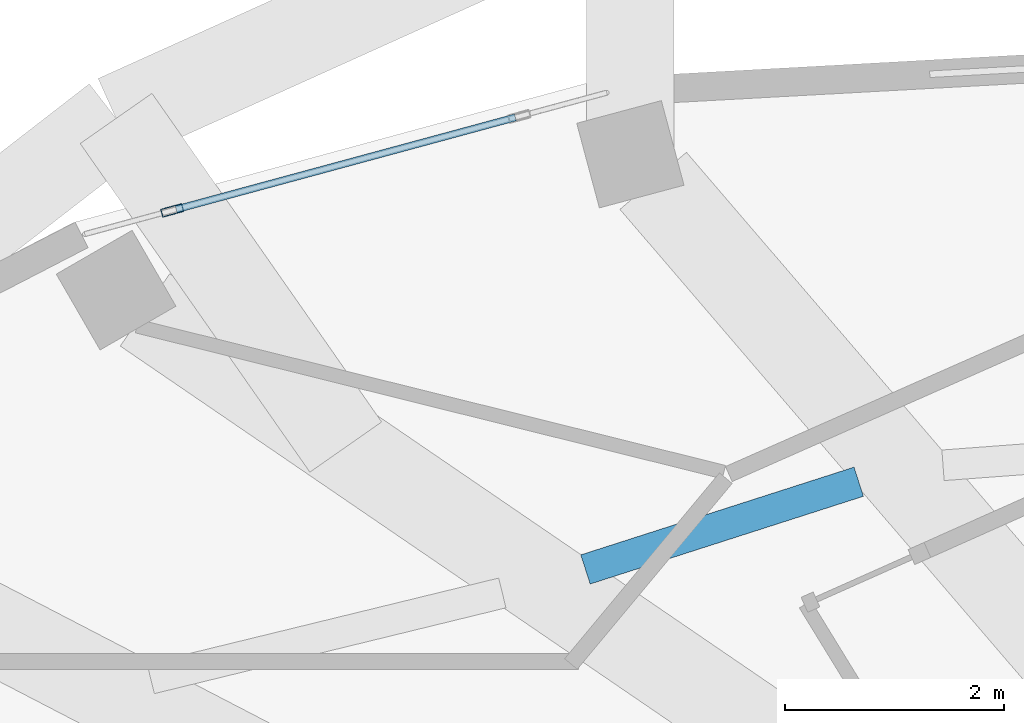
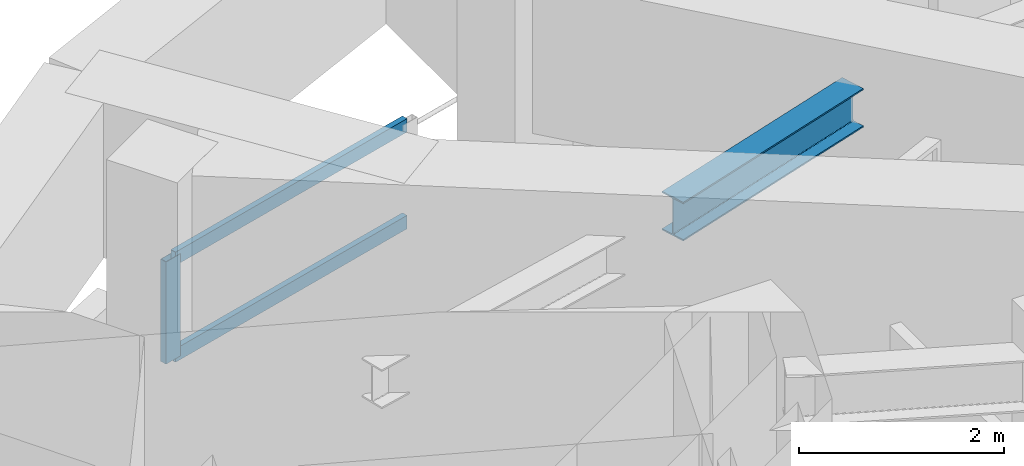
# One storey, part 6 of 20: 3 members, 1 beam, 1 element without a shape of its own.
"""IFC4 building model written with IfcOpenShell, lengths in metres."""

from ifc_helpers import new_model, si_unit, direction, frame, origin, origin_2d, place, context, subcontext, project, spatial, hollow_rectangle, i_section, extrude, material, layer, layer_set, material_profile, profile_set, type_object, element, aggregate, save


model = new_model("IFC4")

# Units and contexts
model_context = context("Model", 3, precision=1e-05, world=origin(), true_north=direction((0.0, 1.0)))
body_context = subcontext(model_context, "Body", "Model", "MODEL_VIEW")
ifc_project = project(units=[si_unit("LENGTHUNIT", "METRE"), si_unit("AREAUNIT", "SQUARE_METRE"), si_unit("VOLUMEUNIT", "CUBIC_METRE"), si_unit("PLANEANGLEUNIT", "RADIAN"), si_unit("MASSUNIT", "GRAM", prefix="KILO")], contexts=[model_context])

# Site, building, storey
site_placement = place(None, origin())
site = spatial("IfcSite", under=ifc_project, at=site_placement, CompositionType="ELEMENT")
building_placement = place(site_placement, origin())
building = spatial("IfcBuilding", under=site, at=building_placement, Name="Solvane Sanctuary Tower", CompositionType="ELEMENT")
storey_placement = place(building_placement, frame((0.0, 0.0, 217.10009765625)))
storey = spatial("IfcBuildingStorey", under=building, at=storey_placement, Name="L66", CompositionType="ELEMENT", Elevation=217.10009765625)

# Beam
ifc_material_1 = material(Name="Steel ASTM A992 Grade 50", Category="steel")
ifc_material_profile_1 = material_profile(ifc_material_1, i_section(OverallWidth=0.280029296875, OverallDepth=0.462890625, WebThickness=0.0107421875, FlangeThickness=0.017333984375, FilletRadius=0.013916015625, at=origin_2d()), Name="W18X76")
ifc_profile_set_1 = profile_set([ifc_material_profile_1], Name="Steel ASTM A992 Grade 50")
beam_type = type_object("IfcBeamType", Name="Beam B-SEC-JOIST W18X76", PredefinedType="JOIST", material=ifc_profile_set_1)
beam_placement = place(storey_placement, frame((24.733642578125, 33.12060546875, 2.366455078125), z_axis=(0.952143766749, 0.305650531557, 0.0), x_axis=(-0.305650531557, 0.952143766749, 0.0)))
element("IfcBeam", 1, at=beam_placement, inside=storey, type_object=beam_type, Name="L66 Secondary Circumferential Joist 06-05", PredefinedType="JOIST", context=body_context, shape_type="SweptSolid", body=[
    extrude(i_section(OverallWidth=0.280029296875, OverallDepth=0.462890625, WebThickness=0.0107421875, FlangeThickness=0.017333984375, FilletRadius=0.013916015625, at=origin_2d()), origin(), (0.0, 0.0, 1.0), 2.622314453125),
])

# Curtain wall, members
ifc_material_2 = material(Name="Anodised Aluminium 6063-T6", Category="aluminium")
ifc_layer = layer(ifc_material_2, 0.18994140625, Name="Anodised Aluminium 6063-T6")
ifc_layer_set = layer_set([ifc_layer], Name="Anodised Aluminium 6063-T6")
curtain_wall_type = type_object("IfcCurtainWallType", Name="Curtain Wall CW-OPER", PredefinedType="NOTDEFINED", material=ifc_layer_set)
curtain_wall_placement = place(storey_placement, origin())
curtain_wall = element("IfcCurtainWall", 2, at=curtain_wall_placement, inside=storey, type_object=curtain_wall_type, Name="L66 CW-OPER Facade Run 07", PredefinedType="NOTDEFINED")
ifc_material_profile_2 = material_profile(ifc_material_2, hollow_rectangle(XDim=0.074951171875, YDim=0.199951171875, WallThickness=0.00390625, at=origin_2d()), Name="ALU200X75X4")
ifc_profile_set_2 = profile_set([ifc_material_profile_2], Name="Anodised Aluminium 6063-T6")
member_type_1 = type_object("IfcMemberType", Name="Member M-CW-MUL-1 ALU200X75X4", PredefinedType="MULLION", material=ifc_profile_set_2)
member_1_placement = place(storey_placement, frame((20.95751953125, 36.4013671875, 0.0), z_axis=(0.0, 0.0, 1.0), x_axis=(0.261468027073, -0.965212137728, 0.0)))
member_1 = element("IfcMember", 3, at=member_1_placement, type_object=member_type_1, Name="CW-OPER mullion 2", PredefinedType="MULLION", context=body_context, shape_type="SweptSolid", body=[
    extrude(hollow_rectangle(XDim=0.074951171875, YDim=0.199951171875, WallThickness=0.00390625, at=origin_2d()), origin(), (0.0, 0.0, 1.0), 1.219970703125),
])
ifc_material_profile_3 = material_profile(ifc_material_2, hollow_rectangle(XDim=0.06494140625, YDim=0.159912109375, WallThickness=0.00341796875, at=origin_2d()), Name="ALU160X65X3.5")
ifc_profile_set_3 = profile_set([ifc_material_profile_3], Name="Anodised Aluminium 6063-T6")
member_type_2 = type_object("IfcMemberType", Name="Member M-CW-TRN-1 ALU160X65X3.5", PredefinedType="USERDEFINED", material=ifc_profile_set_3)
member_2_placement = place(storey_placement, frame((24.093017578125, 37.250732421875, 0.032470703125), z_axis=(-0.965206383787, -0.261489266885, 0.0), x_axis=(0.261489266885, -0.965206383787, 0.0)))
member_2 = element("IfcMember", 4, at=member_2_placement, type_object=member_type_2, Name="CW-OPER transom 1.1", ObjectType="TRANSOM", PredefinedType="USERDEFINED", context=body_context, shape_type="SweptSolid", body=[
    extrude(hollow_rectangle(XDim=0.06494140625, YDim=0.159912109375, WallThickness=0.00341796875, at=origin_2d()), origin(), (0.0, 0.0, 1.0), 3.2109375),
])
member_3_placement = place(storey_placement, frame((24.093017578125, 37.250732421875, 1.1875), z_axis=(-0.965206383787, -0.261489266885, 0.0), x_axis=(0.261489266885, -0.965206383787, 0.0)))
member_3 = element("IfcMember", 5, at=member_3_placement, type_object=member_type_2, Name="CW-OPER transom 1.2", ObjectType="TRANSOM", PredefinedType="USERDEFINED", context=body_context, shape_type="SweptSolid", body=[
    extrude(hollow_rectangle(XDim=0.06494140625, YDim=0.159912109375, WallThickness=0.00341796875, at=origin_2d()), origin(), (0.0, 0.0, 1.0), 3.2109375),
])
aggregate(curtain_wall, [member_1, member_2, member_3])

save(model, "model.ifc")
